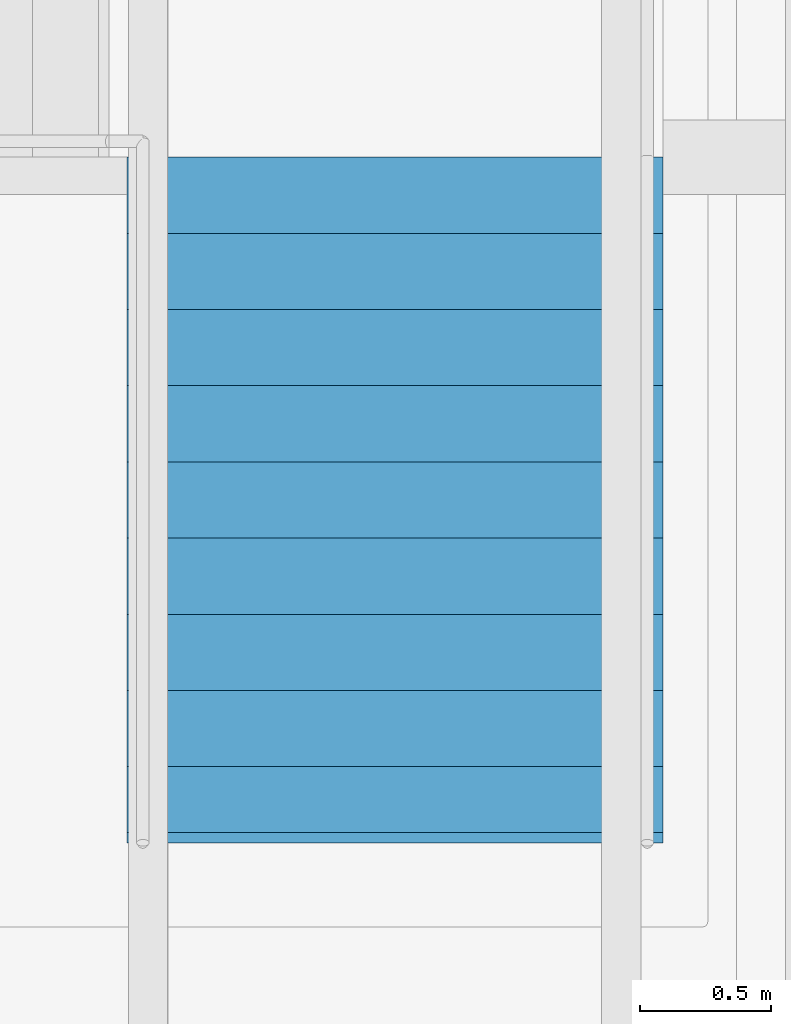
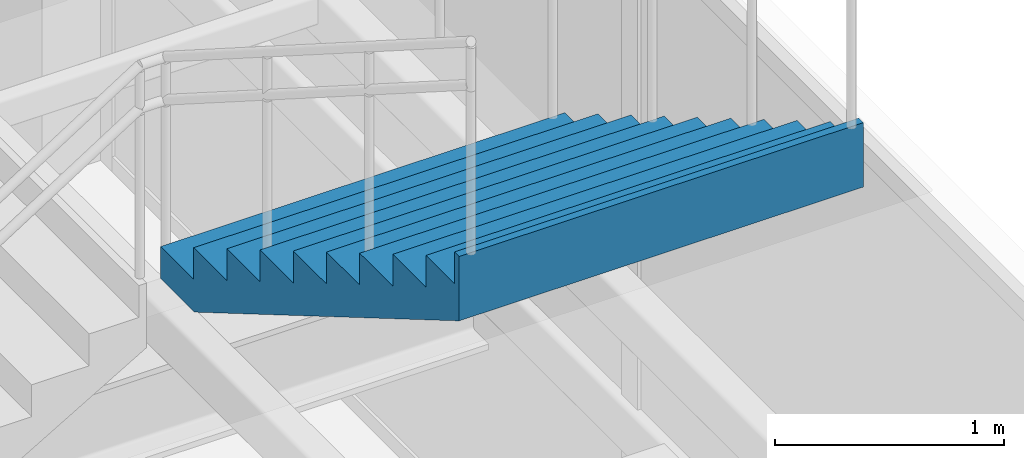
# One storey, part 58 of 66: 1 stair flight, 1 element without a shape of its own.
"""IFC4 building model written with IfcOpenShell, lengths in metres."""

from ifc_helpers import new_model, si_unit, direction, frame, origin, place, context, subcontext, project, spatial, triangles, material, type_object, element, aggregate, save


model = new_model("IFC4")

# Units and contexts
model_context = context("Model", 3, precision=1e-05, world=origin(), true_north=direction((0.0, 1.0)))
body_context = subcontext(model_context, "Body", "Model", "MODEL_VIEW")
ifc_project = project(units=[si_unit("LENGTHUNIT", "METRE"), si_unit("AREAUNIT", "SQUARE_METRE"), si_unit("VOLUMEUNIT", "CUBIC_METRE"), si_unit("PLANEANGLEUNIT", "RADIAN"), si_unit("MASSUNIT", "GRAM", prefix="KILO")], contexts=[model_context])

# Site, building, storey
site_placement = place(None, origin())
site = spatial("IfcSite", under=ifc_project, at=site_placement, CompositionType="ELEMENT")
building_placement = place(site_placement, origin())
building = spatial("IfcBuilding", under=site, at=building_placement, Name="Sillaruma Civic Art Gallery", CompositionType="ELEMENT")
storey_placement = place(building_placement, frame((0.0, 0.0, 57.1201171875)))
storey = spatial("IfcBuildingStorey", under=building, at=storey_placement, Name="L11", CompositionType="ELEMENT", Elevation=57.1201171875)

# Stair, stair flight
ifc_material = material(Name="Concrete H35 (35 MPa)", Category="concrete")
stair_type = type_object("IfcStairType", Name="STR-3F-30", PredefinedType="TWO_QUARTER_TURN_STAIR", material=ifc_material)
stair_placement = place(storey_placement, origin())
stair = element("IfcStair", 1, at=stair_placement, inside=storey, type_object=stair_type, Name="Monumental Gallery Feature Stair ST-G07 (L11)", PredefinedType="TWO_QUARTER_TURN_STAIR")
stair_flight_type = type_object("IfcStairFlightType", Name="SFL-STR-10", PredefinedType="STRAIGHT", material=ifc_material)
stair_flight_placement = place(storey_placement, frame((90.340087890625, 53.9599609375, 3.39990234375), z_axis=(0.0, 0.0, 1.0), x_axis=(0.0, -1.0, 0.0)))
stair_flight = element("IfcStairFlight", 2, at=stair_flight_placement, type_object=stair_flight_type, Name="ST-G07 flight 3", NumberOfRisers=10, NumberOfTreads=9, PredefinedType="STRAIGHT", RiserHeight=0.17, TreadLength=0.29, context=body_context, shape_type="Tessellation", body=[
    triangles([(0.0, -1.02001953125, 0.0), (0.29, -1.02001953125, 0.0), (0.296521, -1.02001953125, 0.0), (0.58, -1.02001953125, 0.166177), (0.87, -1.02001953125, 0.336177), (1.16, -1.02001953125, 0.506177), (1.45, -1.02001953125, 0.676177), (1.74, -1.02001953125, 0.846177), (2.03, -1.02001953125, 1.016177), (2.32, -1.02001953125, 1.186177), (2.570107, -1.02001953125, 1.332792), (2.610107, -1.02001953125, 1.35624), (2.610107, -1.02001953125, 1.7), (2.570107, -1.02001953125, 1.7), (2.570107, -1.02001953125, 1.53), (2.32, -1.02001953125, 1.53), (2.32, -1.02001953125, 1.36), (2.03, -1.02001953125, 1.36), (2.03, -1.02001953125, 1.19), (1.74, -1.02001953125, 1.19), (1.74, -1.02001953125, 1.02), (1.45, -1.02001953125, 1.02), (1.45, -1.02001953125, 0.85), (1.16, -1.02001953125, 0.85), (1.16, -1.02001953125, 0.68), (0.87, -1.02001953125, 0.68), (0.87, -1.02001953125, 0.51), (0.58, -1.02001953125, 0.51), (0.58, -1.02001953125, 0.34), (0.296521, -1.02001953125, 0.34), (0.29, -1.02001953125, 0.34), (0.29, -1.02001953125, 0.17), (0.0, -1.02001953125, 0.17), (0.0, -0.05, 0.0), (0.29, -0.05, 0.0), (0.296521, -0.05, 0.0), (0.58, -0.05, 0.166177), (0.87, -0.05, 0.336177), (1.16, -0.05, 0.506177), (1.45, -0.05, 0.676177), (1.74, -0.05, 0.846177), (2.03, -0.05, 1.016177), (2.32, -0.05, 1.186177), (2.570107, -0.05, 1.332792), (2.610107, -0.05, 1.35624), (2.610107, -0.05, 1.7), (2.570107, -0.05, 1.7), (2.570107, -0.05, 1.53), (2.32, -0.05, 1.53), (2.32, -0.05, 1.36), (2.03, -0.05, 1.36), (2.03, -0.05, 1.19), (1.74, -0.05, 1.19), (1.74, -0.05, 1.02), (1.45, -0.05, 1.02), (1.45, -0.05, 0.85), (1.16, -0.05, 0.85), (1.16, -0.05, 0.68), (0.87, -0.05, 0.68), (0.87, -0.05, 0.51), (0.58, -0.05, 0.51), (0.58, -0.05, 0.34), (0.296521, -0.05, 0.34), (0.29, -0.05, 0.34), (0.29, -0.05, 0.17), (0.0, -0.05, 0.17), (0.0, -0.0375, 0.0), (0.29, -0.0375, 0.0), (0.296521, -0.0375, 0.0), (0.58, -0.0375, 0.166177), (0.87, -0.0375, 0.336177), (1.16, -0.0375, 0.506177), (1.45, -0.0375, 0.676177), (1.74, -0.0375, 0.846177), (2.03, -0.0375, 1.016177), (2.32, -0.0375, 1.186177), (2.570107, -0.0375, 1.332792), (2.610107, -0.0375, 1.35624), (2.610107, -0.0375, 1.7), (2.570107, -0.0375, 1.7), (2.570107, -0.0375, 1.53), (2.32, -0.0375, 1.53), (2.32, -0.0375, 1.36), (2.03, -0.0375, 1.36), (2.03, -0.0375, 1.19), (1.74, -0.0375, 1.19), (1.74, -0.0375, 1.02), (1.45, -0.0375, 1.02), (1.45, -0.0375, 0.85), (1.16, -0.0375, 0.85), (1.16, -0.0375, 0.68), (0.87, -0.0375, 0.68), (0.87, -0.0375, 0.51), (0.58, -0.0375, 0.51), (0.58, -0.0375, 0.34), (0.296521, -0.0375, 0.34), (0.29, -0.0375, 0.34), (0.29, -0.0375, 0.17), (0.0, -0.0375, 0.17), (0.0, -0.025, 0.0), (0.29, -0.025, 0.0), (0.296521, -0.025, 0.0), (0.58, -0.025, 0.166177), (0.87, -0.025, 0.336177), (1.16, -0.025, 0.506177), (1.45, -0.025, 0.676177), (1.74, -0.025, 0.846177), (2.03, -0.025, 1.016177), (2.32, -0.025, 1.186177), (2.570107, -0.025, 1.332792), (2.610107, -0.025, 1.35624), (2.610107, -0.025, 1.7), (2.570107, -0.025, 1.7), (2.570107, -0.025, 1.53), (2.32, -0.025, 1.53), (2.32, -0.025, 1.36), (2.03, -0.025, 1.36), (2.03, -0.025, 1.19), (1.74, -0.025, 1.19), (1.74, -0.025, 1.02), (1.45, -0.025, 1.02), (1.45, -0.025, 0.85), (1.16, -0.025, 0.85), (1.16, -0.025, 0.68), (0.87, -0.025, 0.68), (0.87, -0.025, 0.51), (0.58, -0.025, 0.51), (0.58, -0.025, 0.34), (0.296521, -0.025, 0.34), (0.29, -0.025, 0.34), (0.29, -0.025, 0.17), (0.0, -0.025, 0.17), (0.0, -0.0125, 0.0), (0.29, -0.0125, 0.0), (0.296521, -0.0125, 0.0), (0.58, -0.0125, 0.166177), (0.87, -0.0125, 0.336177), (1.16, -0.0125, 0.506177), (1.45, -0.0125, 0.676177), (1.74, -0.0125, 0.846177), (2.03, -0.0125, 1.016177), (2.32, -0.0125, 1.186177), (2.570107, -0.0125, 1.332792), (2.610107, -0.0125, 1.35624), (2.610107, -0.0125, 1.7), (2.570107, -0.0125, 1.7), (2.570107, -0.0125, 1.53), (2.32, -0.0125, 1.53), (2.32, -0.0125, 1.36), (2.03, -0.0125, 1.36), (2.03, -0.0125, 1.19), (1.74, -0.0125, 1.19), (1.74, -0.0125, 1.02), (1.45, -0.0125, 1.02), (1.45, -0.0125, 0.85), (1.16, -0.0125, 0.85), (1.16, -0.0125, 0.68), (0.87, -0.0125, 0.68), (0.87, -0.0125, 0.51), (0.58, -0.0125, 0.51), (0.58, -0.0125, 0.34), (0.296521, -0.0125, 0.34), (0.29, -0.0125, 0.34), (0.29, -0.0125, 0.17), (0.0, -0.0125, 0.17), (0.0, 0.0, 0.0), (0.29, 0.0, 0.0), (0.296521, 0.0, 0.0), (0.58, 0.0, 0.166177), (0.87, 0.0, 0.336177), (1.16, 0.0, 0.506177), (1.45, 0.0, 0.676177), (1.74, 0.0, 0.846177), (2.03, 0.0, 1.016177), (2.32, 0.0, 1.186177), (2.570107, 0.0, 1.332792), (2.610107, 0.0, 1.35624), (2.610107, 0.0, 1.7), (2.570107, 0.0, 1.7), (2.570107, 0.0, 1.53), (2.32, 0.0, 1.53), (2.32, 0.0, 1.36), (2.03, 0.0, 1.36), (2.03, 0.0, 1.19), (1.74, 0.0, 1.19), (1.74, 0.0, 1.02), (1.45, 0.0, 1.02), (1.45, 0.0, 0.85), (1.16, 0.0, 0.85), (1.16, 0.0, 0.68), (0.87, 0.0, 0.68), (0.87, 0.0, 0.51), (0.58, 0.0, 0.51), (0.58, 0.0, 0.34), (0.296521, 0.0, 0.34), (0.29, 0.0, 0.34), (0.29, 0.0, 0.17), (0.0, 0.0, 0.17), (0.0, 0.0125, 0.0), (0.29, 0.0125, 0.0), (0.296521, 0.0125, 0.0), (0.58, 0.0125, 0.166177), (0.87, 0.0125, 0.336177), (1.16, 0.0125, 0.506177), (1.45, 0.0125, 0.676177), (1.74, 0.0125, 0.846177), (2.03, 0.0125, 1.016177), (2.32, 0.0125, 1.186177), (2.570107, 0.0125, 1.332792), (2.610107, 0.0125, 1.35624), (2.610107, 0.0125, 1.7), (2.570107, 0.0125, 1.7), (2.570107, 0.0125, 1.53), (2.32, 0.0125, 1.53), (2.32, 0.0125, 1.36), (2.03, 0.0125, 1.36), (2.03, 0.0125, 1.19), (1.74, 0.0125, 1.19), (1.74, 0.0125, 1.02), (1.45, 0.0125, 1.02), (1.45, 0.0125, 0.85), (1.16, 0.0125, 0.85), (1.16, 0.0125, 0.68), (0.87, 0.0125, 0.68), (0.87, 0.0125, 0.51), (0.58, 0.0125, 0.51), (0.58, 0.0125, 0.34), (0.296521, 0.0125, 0.34), (0.29, 0.0125, 0.34), (0.29, 0.0125, 0.17), (0.0, 0.0125, 0.17), (0.0, 0.025, 0.0), (0.29, 0.025, 0.0), (0.296521, 0.025, 0.0), (0.58, 0.025, 0.166177), (0.87, 0.025, 0.336177), (1.16, 0.025, 0.506177), (1.45, 0.025, 0.676177), (1.74, 0.025, 0.846177), (2.03, 0.025, 1.016177), (2.32, 0.025, 1.186177), (2.570107, 0.025, 1.332792), (2.610107, 0.025, 1.35624), (2.610107, 0.025, 1.7), (2.570107, 0.025, 1.7), (2.570107, 0.025, 1.53), (2.32, 0.025, 1.53), (2.32, 0.025, 1.36), (2.03, 0.025, 1.36), (2.03, 0.025, 1.19), (1.74, 0.025, 1.19), (1.74, 0.025, 1.02), (1.45, 0.025, 1.02), (1.45, 0.025, 0.85), (1.16, 0.025, 0.85), (1.16, 0.025, 0.68), (0.87, 0.025, 0.68), (0.87, 0.025, 0.51), (0.58, 0.025, 0.51), (0.58, 0.025, 0.34), (0.296521, 0.025, 0.34), (0.29, 0.025, 0.34), (0.29, 0.025, 0.17), (0.0, 0.025, 0.17), (0.0, 0.0375, 0.0), (0.29, 0.0375, 0.0), (0.296521, 0.0375, 0.0), (0.58, 0.0375, 0.166177), (0.87, 0.0375, 0.336177), (1.16, 0.0375, 0.506177), (1.45, 0.0375, 0.676177), (1.74, 0.0375, 0.846177), (2.03, 0.0375, 1.016177), (2.32, 0.0375, 1.186177), (2.570107, 0.0375, 1.332792), (2.610107, 0.0375, 1.35624), (2.610107, 0.0375, 1.7), (2.570107, 0.0375, 1.7), (2.570107, 0.0375, 1.53), (2.32, 0.0375, 1.53), (2.32, 0.0375, 1.36), (2.03, 0.0375, 1.36), (2.03, 0.0375, 1.19), (1.74, 0.0375, 1.19), (1.74, 0.0375, 1.02), (1.45, 0.0375, 1.02), (1.45, 0.0375, 0.85), (1.16, 0.0375, 0.85), (1.16, 0.0375, 0.68), (0.87, 0.0375, 0.68), (0.87, 0.0375, 0.51), (0.58, 0.0375, 0.51), (0.58, 0.0375, 0.34), (0.296521, 0.0375, 0.34), (0.29, 0.0375, 0.34), (0.29, 0.0375, 0.17), (0.0, 0.0375, 0.17), (0.0, 0.05, 0.0), (0.29, 0.05, 0.0), (0.296521, 0.05, 0.0), (0.58, 0.05, 0.166177), (0.87, 0.05, 0.336177), (1.16, 0.05, 0.506177), (1.45, 0.05, 0.676177), (1.74, 0.05, 0.846177), (2.03, 0.05, 1.016177), (2.32, 0.05, 1.186177), (2.570107, 0.05, 1.332792), (2.610107, 0.05, 1.35624), (2.610107, 0.05, 1.7), (2.570107, 0.05, 1.7), (2.570107, 0.05, 1.53), (2.32, 0.05, 1.53), (2.32, 0.05, 1.36), (2.03, 0.05, 1.36), (2.03, 0.05, 1.19), (1.74, 0.05, 1.19), (1.74, 0.05, 1.02), (1.45, 0.05, 1.02), (1.45, 0.05, 0.85), (1.16, 0.05, 0.85), (1.16, 0.05, 0.68), (0.87, 0.05, 0.68), (0.87, 0.05, 0.51), (0.58, 0.05, 0.51), (0.58, 0.05, 0.34), (0.296521, 0.05, 0.34), (0.29, 0.05, 0.34), (0.29, 0.05, 0.17), (0.0, 0.05, 0.17), (0.0, 1.02001953125, 0.0), (0.29, 1.02001953125, 0.0), (0.296521, 1.02001953125, 0.0), (0.58, 1.02001953125, 0.166177), (0.87, 1.02001953125, 0.336177), (1.16, 1.02001953125, 0.506177), (1.45, 1.02001953125, 0.676177), (1.74, 1.02001953125, 0.846177), (2.03, 1.02001953125, 1.016177), (2.32, 1.02001953125, 1.186177), (2.570107, 1.02001953125, 1.332792), (2.610107, 1.02001953125, 1.35624), (2.610107, 1.02001953125, 1.7), (2.570107, 1.02001953125, 1.7), (2.570107, 1.02001953125, 1.53), (2.32, 1.02001953125, 1.53), (2.32, 1.02001953125, 1.36), (2.03, 1.02001953125, 1.36), (2.03, 1.02001953125, 1.19), (1.74, 1.02001953125, 1.19), (1.74, 1.02001953125, 1.02), (1.45, 1.02001953125, 1.02), (1.45, 1.02001953125, 0.85), (1.16, 1.02001953125, 0.85), (1.16, 1.02001953125, 0.68), (0.87, 1.02001953125, 0.68), (0.87, 1.02001953125, 0.51), (0.58, 1.02001953125, 0.51), (0.58, 1.02001953125, 0.34), (0.296521, 1.02001953125, 0.34), (0.29, 1.02001953125, 0.34), (0.29, 1.02001953125, 0.17), (0.0, 1.02001953125, 0.17)], [[1, 2, 32], [1, 32, 33], [2, 3, 30], [2, 30, 32], [32, 30, 31], [3, 4, 29], [3, 29, 30], [4, 5, 27], [4, 27, 29], [29, 27, 28], [5, 6, 25], [5, 25, 27], [27, 25, 26], [6, 7, 23], [6, 23, 25], [25, 23, 24], [7, 8, 21], [7, 21, 23], [23, 21, 22], [8, 9, 19], [8, 19, 21], [21, 19, 20], [9, 10, 17], [9, 17, 19], [19, 17, 18], [10, 11, 15], [10, 15, 17], [17, 15, 16], [11, 12, 13], [11, 13, 15], [15, 13, 14], [362, 332, 331], [363, 362, 331], [360, 333, 332], [362, 360, 332], [361, 360, 362], [359, 334, 333], [360, 359, 333], [357, 335, 334], [359, 357, 334], [358, 357, 359], [355, 336, 335], [357, 355, 335], [356, 355, 357], [353, 337, 336], [355, 353, 336], [354, 353, 355], [351, 338, 337], [353, 351, 337], [352, 351, 353], [349, 339, 338], [351, 349, 338], [350, 349, 351], [347, 340, 339], [349, 347, 339], [348, 347, 349], [345, 341, 340], [347, 345, 340], [346, 345, 347], [343, 342, 341], [345, 343, 341], [344, 343, 345], [2, 1, 34], [2, 34, 35], [3, 2, 35], [3, 35, 36], [4, 3, 36], [4, 36, 37], [5, 4, 37], [5, 37, 38], [6, 5, 38], [6, 38, 39], [7, 6, 39], [7, 39, 40], [8, 7, 40], [8, 40, 41], [9, 8, 41], [9, 41, 42], [10, 9, 42], [10, 42, 43], [11, 10, 43], [11, 43, 44], [12, 11, 44], [12, 44, 45], [13, 12, 45], [13, 45, 46], [14, 13, 46], [14, 46, 47], [15, 14, 47], [15, 47, 48], [16, 15, 48], [16, 48, 49], [17, 16, 49], [17, 49, 50], [18, 17, 50], [18, 50, 51], [19, 18, 51], [19, 51, 52], [20, 19, 52], [20, 52, 53], [21, 20, 53], [21, 53, 54], [22, 21, 54], [22, 54, 55], [23, 22, 55], [23, 55, 56], [24, 23, 56], [24, 56, 57], [25, 24, 57], [25, 57, 58], [26, 25, 58], [26, 58, 59], [27, 26, 59], [27, 59, 60], [28, 27, 60], [28, 60, 61], [29, 28, 61], [29, 61, 62], [30, 29, 62], [30, 62, 63], [31, 30, 63], [31, 63, 64], [32, 31, 64], [32, 64, 65], [33, 32, 65], [33, 65, 66], [1, 33, 66], [1, 66, 34], [35, 34, 67], [35, 67, 68], [36, 35, 68], [36, 68, 69], [37, 36, 69], [37, 69, 70], [38, 37, 70], [38, 70, 71], [39, 38, 71], [39, 71, 72], [40, 39, 72], [40, 72, 73], [41, 40, 73], [41, 73, 74], [42, 41, 74], [42, 74, 75], [43, 42, 75], [43, 75, 76], [44, 43, 76], [44, 76, 77], [45, 44, 77], [45, 77, 78], [46, 45, 78], [46, 78, 79], [47, 46, 79], [47, 79, 80], [48, 47, 80], [48, 80, 81], [49, 48, 81], [49, 81, 82], [50, 49, 82], [50, 82, 83], [51, 50, 83], [51, 83, 84], [52, 51, 84], [52, 84, 85], [53, 52, 85], [53, 85, 86], [54, 53, 86], [54, 86, 87], [55, 54, 87], [55, 87, 88], [56, 55, 88], [56, 88, 89], [57, 56, 89], [57, 89, 90], [58, 57, 90], [58, 90, 91], [59, 58, 91], [59, 91, 92], [60, 59, 92], [60, 92, 93], [61, 60, 93], [61, 93, 94], [62, 61, 94], [62, 94, 95], [63, 62, 95], [63, 95, 96], [64, 63, 96], [64, 96, 97], [65, 64, 97], [65, 97, 98], [66, 65, 98], [66, 98, 99], [34, 66, 99], [34, 99, 67], [68, 67, 100], [68, 100, 101], [69, 68, 101], [69, 101, 102], [70, 69, 102], [70, 102, 103], [71, 70, 103], [71, 103, 104], [72, 71, 104], [72, 104, 105], [73, 72, 105], [73, 105, 106], [74, 73, 106], [74, 106, 107], [75, 74, 107], [75, 107, 108], [76, 75, 108], [76, 108, 109], [77, 76, 109], [77, 109, 110], [78, 77, 110], [78, 110, 111], [79, 78, 111], [79, 111, 112], [80, 79, 112], [80, 112, 113], [81, 80, 113], [81, 113, 114], [82, 81, 114], [82, 114, 115], [83, 82, 115], [83, 115, 116], [84, 83, 116], [84, 116, 117], [85, 84, 117], [85, 117, 118], [86, 85, 118], [86, 118, 119], [87, 86, 119], [87, 119, 120], [88, 87, 120], [88, 120, 121], [89, 88, 121], [89, 121, 122], [90, 89, 122], [90, 122, 123], [91, 90, 123], [91, 123, 124], [92, 91, 124], [92, 124, 125], [93, 92, 125], [93, 125, 126], [94, 93, 126], [94, 126, 127], [95, 94, 127], [95, 127, 128], [96, 95, 128], [96, 128, 129], [97, 96, 129], [97, 129, 130], [98, 97, 130], [98, 130, 131], [99, 98, 131], [99, 131, 132], [67, 99, 132], [67, 132, 100], [101, 100, 133], [101, 133, 134], [102, 101, 134], [102, 134, 135], [103, 102, 135], [103, 135, 136], [104, 103, 136], [104, 136, 137], [105, 104, 137], [105, 137, 138], [106, 105, 138], [106, 138, 139], [107, 106, 139], [107, 139, 140], [108, 107, 140], [108, 140, 141], [109, 108, 141], [109, 141, 142], [110, 109, 142], [110, 142, 143], [111, 110, 143], [111, 143, 144], [112, 111, 144], [112, 144, 145], [113, 112, 145], [113, 145, 146], [114, 113, 146], [114, 146, 147], [115, 114, 147], [115, 147, 148], [116, 115, 148], [116, 148, 149], [117, 116, 149], [117, 149, 150], [118, 117, 150], [118, 150, 151], [119, 118, 151], [119, 151, 152], [120, 119, 152], [120, 152, 153], [121, 120, 153], [121, 153, 154], [122, 121, 154], [122, 154, 155], [123, 122, 155], [123, 155, 156], [124, 123, 156], [124, 156, 157], [125, 124, 157], [125, 157, 158], [126, 125, 158], [126, 158, 159], [127, 126, 159], [127, 159, 160], [128, 127, 160], [128, 160, 161], [129, 128, 161], [129, 161, 162], [130, 129, 162], [130, 162, 163], [131, 130, 163], [131, 163, 164], [132, 131, 164], [132, 164, 165], [100, 132, 165], [100, 165, 133], [134, 133, 166], [134, 166, 167], [135, 134, 167], [135, 167, 168], [136, 135, 168], [136, 168, 169], [137, 136, 169], [137, 169, 170], [138, 137, 170], [138, 170, 171], [139, 138, 171], [139, 171, 172], [140, 139, 172], [140, 172, 173], [141, 140, 173], [141, 173, 174], [142, 141, 174], [142, 174, 175], [143, 142, 175], [143, 175, 176], [144, 143, 176], [144, 176, 177], [145, 144, 177], [145, 177, 178], [146, 145, 178], [146, 178, 179], [147, 146, 179], [147, 179, 180], [148, 147, 180], [148, 180, 181], [149, 148, 181], [149, 181, 182], [150, 149, 182], [150, 182, 183], [151, 150, 183], [151, 183, 184], [152, 151, 184], [152, 184, 185], [153, 152, 185], [153, 185, 186], [154, 153, 186], [154, 186, 187], [155, 154, 187], [155, 187, 188], [156, 155, 188], [156, 188, 189], [157, 156, 189], [157, 189, 190], [158, 157, 190], [158, 190, 191], [159, 158, 191], [159, 191, 192], [160, 159, 192], [160, 192, 193], [161, 160, 193], [161, 193, 194], [162, 161, 194], [162, 194, 195], [163, 162, 195], [163, 195, 196], [164, 163, 196], [164, 196, 197], [165, 164, 197], [165, 197, 198], [133, 165, 198], [133, 198, 166], [167, 166, 199], [167, 199, 200], [168, 167, 200], [168, 200, 201], [169, 168, 201], [169, 201, 202], [170, 169, 202], [170, 202, 203], [171, 170, 203], [171, 203, 204], [172, 171, 204], [172, 204, 205], [173, 172, 205], [173, 205, 206], [174, 173, 206], [174, 206, 207], [175, 174, 207], [175, 207, 208], [176, 175, 208], [176, 208, 209], [177, 176, 209], [177, 209, 210], [178, 177, 210], [178, 210, 211], [179, 178, 211], [179, 211, 212], [180, 179, 212], [180, 212, 213], [181, 180, 213], [181, 213, 214], [182, 181, 214], [182, 214, 215], [183, 182, 215], [183, 215, 216], [184, 183, 216], [184, 216, 217], [185, 184, 217], [185, 217, 218], [186, 185, 218], [186, 218, 219], [187, 186, 219], [187, 219, 220], [188, 187, 220], [188, 220, 221], [189, 188, 221], [189, 221, 222], [190, 189, 222], [190, 222, 223], [191, 190, 223], [191, 223, 224], [192, 191, 224], [192, 224, 225], [193, 192, 225], [193, 225, 226], [194, 193, 226], [194, 226, 227], [195, 194, 227], [195, 227, 228], [196, 195, 228], [196, 228, 229], [197, 196, 229], [197, 229, 230], [198, 197, 230], [198, 230, 231], [166, 198, 231], [166, 231, 199], [200, 199, 232], [200, 232, 233], [201, 200, 233], [201, 233, 234], [202, 201, 234], [202, 234, 235], [203, 202, 235], [203, 235, 236], [204, 203, 236], [204, 236, 237], [205, 204, 237], [205, 237, 238], [206, 205, 238], [206, 238, 239], [207, 206, 239], [207, 239, 240], [208, 207, 240], [208, 240, 241], [209, 208, 241], [209, 241, 242], [210, 209, 242], [210, 242, 243], [211, 210, 243], [211, 243, 244], [212, 211, 244], [212, 244, 245], [213, 212, 245], [213, 245, 246], [214, 213, 246], [214, 246, 247], [215, 214, 247], [215, 247, 248], [216, 215, 248], [216, 248, 249], [217, 216, 249], [217, 249, 250], [218, 217, 250], [218, 250, 251], [219, 218, 251], [219, 251, 252], [220, 219, 252], [220, 252, 253], [221, 220, 253], [221, 253, 254], [222, 221, 254], [222, 254, 255], [223, 222, 255], [223, 255, 256], [224, 223, 256], [224, 256, 257], [225, 224, 257], [225, 257, 258], [226, 225, 258], [226, 258, 259], [227, 226, 259], [227, 259, 260], [228, 227, 260], [228, 260, 261], [229, 228, 261], [229, 261, 262], [230, 229, 262], [230, 262, 263], [231, 230, 263], [231, 263, 264], [199, 231, 264], [199, 264, 232], [233, 232, 265], [233, 265, 266], [234, 233, 266], [234, 266, 267], [235, 234, 267], [235, 267, 268], [236, 235, 268], [236, 268, 269], [237, 236, 269], [237, 269, 270], [238, 237, 270], [238, 270, 271], [239, 238, 271], [239, 271, 272], [240, 239, 272], [240, 272, 273], [241, 240, 273], [241, 273, 274], [242, 241, 274], [242, 274, 275], [243, 242, 275], [243, 275, 276], [244, 243, 276], [244, 276, 277], [245, 244, 277], [245, 277, 278], [246, 245, 278], [246, 278, 279], [247, 246, 279], [247, 279, 280], [248, 247, 280], [248, 280, 281], [249, 248, 281], [249, 281, 282], [250, 249, 282], [250, 282, 283], [251, 250, 283], [251, 283, 284], [252, 251, 284], [252, 284, 285], [253, 252, 285], [253, 285, 286], [254, 253, 286], [254, 286, 287], [255, 254, 287], [255, 287, 288], [256, 255, 288], [256, 288, 289], [257, 256, 289], [257, 289, 290], [258, 257, 290], [258, 290, 291], [259, 258, 291], [259, 291, 292], [260, 259, 292], [260, 292, 293], [261, 260, 293], [261, 293, 294], [262, 261, 294], [262, 294, 295], [263, 262, 295], [263, 295, 296], [264, 263, 296], [264, 296, 297], [232, 264, 297], [232, 297, 265], [266, 265, 298], [266, 298, 299], [267, 266, 299], [267, 299, 300], [268, 267, 300], [268, 300, 301], [269, 268, 301], [269, 301, 302], [270, 269, 302], [270, 302, 303], [271, 270, 303], [271, 303, 304], [272, 271, 304], [272, 304, 305], [273, 272, 305], [273, 305, 306], [274, 273, 306], [274, 306, 307], [275, 274, 307], [275, 307, 308], [276, 275, 308], [276, 308, 309], [277, 276, 309], [277, 309, 310], [278, 277, 310], [278, 310, 311], [279, 278, 311], [279, 311, 312], [280, 279, 312], [280, 312, 313], [281, 280, 313], [281, 313, 314], [282, 281, 314], [282, 314, 315], [283, 282, 315], [283, 315, 316], [284, 283, 316], [284, 316, 317], [285, 284, 317], [285, 317, 318], [286, 285, 318], [286, 318, 319], [287, 286, 319], [287, 319, 320], [288, 287, 320], [288, 320, 321], [289, 288, 321], [289, 321, 322], [290, 289, 322], [290, 322, 323], [291, 290, 323], [291, 323, 324], [292, 291, 324], [292, 324, 325], [293, 292, 325], [293, 325, 326], [294, 293, 326], [294, 326, 327], [295, 294, 327], [295, 327, 328], [296, 295, 328], [296, 328, 329], [297, 296, 329], [297, 329, 330], [265, 297, 330], [265, 330, 298], [299, 298, 331], [299, 331, 332], [300, 299, 332], [300, 332, 333], [301, 300, 333], [301, 333, 334], [302, 301, 334], [302, 334, 335], [303, 302, 335], [303, 335, 336], [304, 303, 336], [304, 336, 337], [305, 304, 337], [305, 337, 338], [306, 305, 338], [306, 338, 339], [307, 306, 339], [307, 339, 340], [308, 307, 340], [308, 340, 341], [309, 308, 341], [309, 341, 342], [310, 309, 342], [310, 342, 343], [311, 310, 343], [311, 343, 344], [312, 311, 344], [312, 344, 345], [313, 312, 345], [313, 345, 346], [314, 313, 346], [314, 346, 347], [315, 314, 347], [315, 347, 348], [316, 315, 348], [316, 348, 349], [317, 316, 349], [317, 349, 350], [318, 317, 350], [318, 350, 351], [319, 318, 351], [319, 351, 352], [320, 319, 352], [320, 352, 353], [321, 320, 353], [321, 353, 354], [322, 321, 354], [322, 354, 355], [323, 322, 355], [323, 355, 356], [324, 323, 356], [324, 356, 357], [325, 324, 357], [325, 357, 358], [326, 325, 358], [326, 358, 359], [327, 326, 359], [327, 359, 360], [328, 327, 360], [328, 360, 361], [329, 328, 361], [329, 361, 362], [330, 329, 362], [330, 362, 363], [298, 330, 363], [298, 363, 331]], closed=True),
])
aggregate(stair, [stair_flight])

save(model, "model.ifc")
